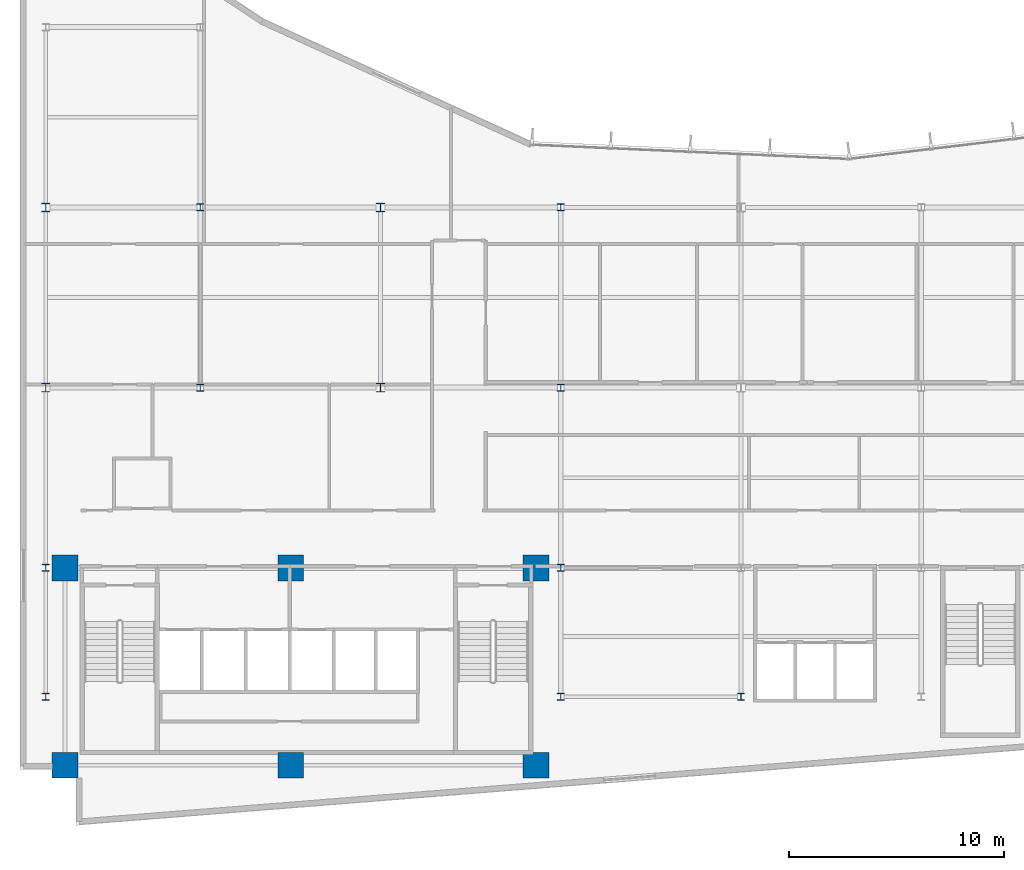
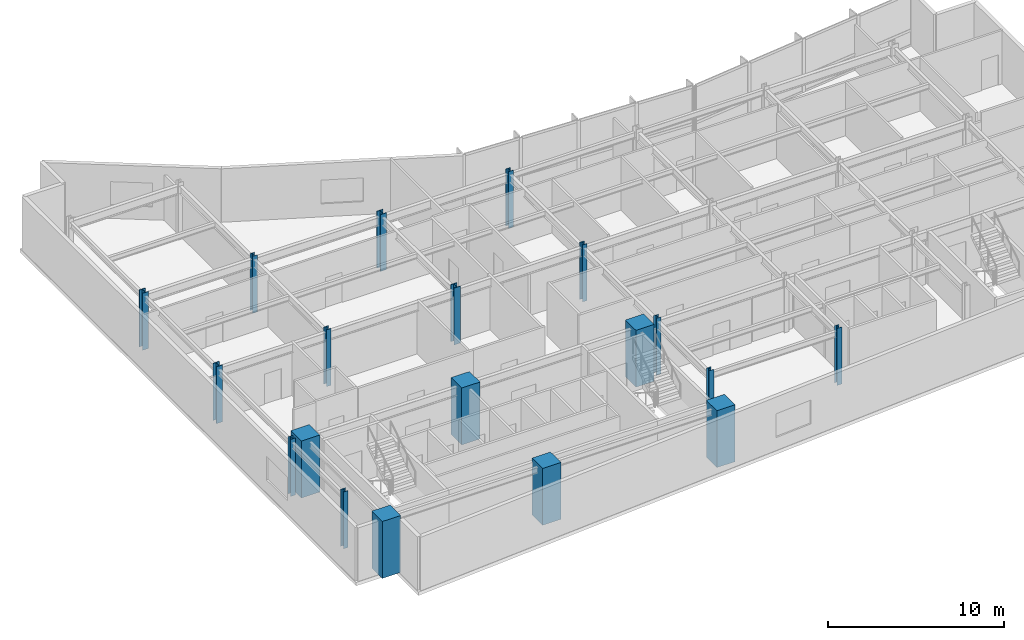
# One storey, part 1 of 17: 19 columns.
"""IFC4 building model written with IfcOpenShell, lengths in metres."""

from ifc_helpers import new_model, si_unit, direction, frame, origin, origin_2d, place, context, subcontext, project, spatial, rectangle, i_section, extrude, material, material_profile, profile_set, type_object, element, save


model = new_model("IFC4")

# Units and contexts
model_context = context("Model", 3, precision=1e-05, world=origin(), true_north=direction((0.0, 1.0)))
body_context = subcontext(model_context, "Body", "Model", "MODEL_VIEW")
ifc_project = project(units=[si_unit("LENGTHUNIT", "METRE"), si_unit("AREAUNIT", "SQUARE_METRE"), si_unit("VOLUMEUNIT", "CUBIC_METRE"), si_unit("PLANEANGLEUNIT", "RADIAN"), si_unit("MASSUNIT", "GRAM", prefix="KILO")], contexts=[model_context])

# Site, building, storey
site_placement = place(None, origin())
site = spatial("IfcSite", under=ifc_project, at=site_placement, CompositionType="ELEMENT")
building_placement = place(site_placement, origin())
building = spatial("IfcBuilding", under=site, at=building_placement, Name="Varnakote Quay Hospital", CompositionType="ELEMENT")
storey_placement = place(building_placement, frame((0.0, 0.0, 131.0)))
storey = spatial("IfcBuildingStorey", under=building, at=storey_placement, Name="L32", CompositionType="ELEMENT", Elevation=131.0)

# Columns
ifc_material_1 = material(Name="Concrete N80 (f'c 80 MPa)", Category="concrete")
ifc_material_profile_1 = material_profile(ifc_material_1, rectangle(XDim=1.199951171875, YDim=1.199951171875, at=origin_2d()), Name="RC-COL-1200x1200")
ifc_profile_set_1 = profile_set([ifc_material_profile_1], Name="Concrete N80 (f'c 80 MPa)")
column_type_1 = type_object("IfcColumnType", Name="COL-RC-1200", PredefinedType="COLUMN", material=ifc_profile_set_1)
for number, where, z_axis, x_axis, name in (
    (1, (2.10009765625, 2.800048828125, 0.0), (0.0, 0.0, 1.0), (1.0, 0.0, 0.0), "L32 Structural Column C-2-3"),
    (2, (12.6201171875, 2.800048828125, 0.0), (0.0, 0.0, 1.0), (1.0, 0.0, 0.0), "L32 Structural Column C-13-3"),
    (3, (24.050048828125, 2.800048828125, 0.0), (0.0, 0.0, 1.0), (1.0, 0.0, 0.0), "L32 Structural Column C-24-3"),
    (4, (2.10009765625, 12.0, 0.0), (0.0, 0.0, 1.0), (1.0, 0.0, 0.0), "L32 Structural Column C-2-12"),
    (5, (12.6201171875, 12.0, 0.0), (0.0, 0.0, 1.0), (1.0, 0.0, 0.0), "L32 Structural Column C-13-12"),
    (6, (24.050048828125, 12.0, 0.0), (0.0, 0.0, 1.0), (1.0, 0.0, 0.0), "L32 Structural Column C-24-12"),
):
    element("IfcColumn", number, at=place(storey_placement, frame(where, z_axis=z_axis, x_axis=x_axis)), inside=storey, type_object=column_type_1, Name=name, PredefinedType="COLUMN", context=body_context, shape_type="SweptSolid", body=[
        extrude(rectangle(XDim=1.199951171875, YDim=1.199951171875, at=origin_2d()), origin(), (0.0, 0.0, 1.0), 3.949951171875),
    ])
ifc_material_2 = material(Name="Structural steel AS/NZS 3679.1 Grade 350 L0 (fy 340 MPa)", Category="steel")
ifc_material_profile_2 = material_profile(ifc_material_2, i_section(OverallWidth=0.30908203125, OverallDepth=0.321044921875, WebThickness=0.013916015625, FlangeThickness=0.021728515625, FilletRadius=0.0166015625, at=origin_2d()), Name="310UC137")
ifc_profile_set_2 = profile_set([ifc_material_profile_2], Name="Structural steel AS/NZS 3679.1 Grade 350 L0 (fy 340 MPa)")
column_type_2 = type_object("IfcColumnType", Name="COL-STL-310UC137", PredefinedType="COLUMN", material=ifc_profile_set_2)
for number, where, z_axis, x_axis, name in (
    (7, (1.199951171875, 6.0, 0.0), (0.0, 0.0, 1.0), (1.0, 0.0, 0.0), "L32 Structural Column C-1-6"),
    (8, (25.199951171875, 6.0, 0.0), (0.0, 0.0, 1.0), (1.0, 0.0, 0.0), "L32 Structural Column C-25-6"),
    (9, (33.60009765625, 6.0, 0.0), (0.0, 0.0, 1.0), (1.0, 0.0, 0.0), "L32 Structural Column C-34-6"),
    (10, (1.199951171875, 12.0, 0.0), (0.0, 0.0, 1.0), (1.0, 0.0, 0.0), "L32 Structural Column C-1-12"),
    (11, (25.199951171875, 12.0, 0.0), (0.0, 0.0, 1.0), (1.0, 0.0, 0.0), "L32 Structural Column C-25-12"),
    (12, (8.39990234375, 20.39990234375, 0.0), (0.0, 0.0, 1.0), (1.0, 0.0, 0.0), "L32 Structural Column C-8-20"),
    (13, (25.199951171875, 20.39990234375, 0.0), (0.0, 0.0, 1.0), (1.0, 0.0, 0.0), "L32 Structural Column C-25-20"),
    (14, (8.39990234375, 28.800048828125, 0.0), (0.0, 0.0, 1.0), (1.0, 0.0, 0.0), "L32 Structural Column C-8-29"),
    (15, (25.199951171875, 28.800048828125, 0.0), (0.0, 0.0, 1.0), (1.0, 0.0, 0.0), "L32 Structural Column C-25-29"),
):
    element("IfcColumn", number, at=place(storey_placement, frame(where, z_axis=z_axis, x_axis=x_axis)), inside=storey, type_object=column_type_2, Name=name, PredefinedType="COLUMN", context=body_context, shape_type="SweptSolid", body=[
        extrude(i_section(OverallWidth=0.30908203125, OverallDepth=0.321044921875, WebThickness=0.013916015625, FlangeThickness=0.021728515625, FilletRadius=0.0166015625, at=origin_2d()), origin(), (0.0, 0.0, 1.0), 3.949951171875),
    ])
ifc_material_3 = material(Name="Structural steel AS/NZS 3678 Grade 350 (fy 340 MPa)", Category="steel")
ifc_material_profile_3 = material_profile(ifc_material_3, i_section(OverallWidth=0.39990234375, OverallDepth=0.419921875, WebThickness=0.02490234375, FlangeThickness=0.0400390625, at=origin_2d()), Name="400WC328")
ifc_profile_set_3 = profile_set([ifc_material_profile_3], Name="Structural steel AS/NZS 3678 Grade 350 (fy 340 MPa)")
column_type_3 = type_object("IfcColumnType", Name="COL-STL-400WC328", PredefinedType="COLUMN", material=ifc_profile_set_3)
for number, where, z_axis, x_axis, name in (
    (16, (1.199951171875, 20.39990234375, 0.0), (0.0, 0.0, 1.0), (1.0, 0.0, 0.0), "L32 Structural Column C-1-20"),
    (17, (16.800048828125, 20.39990234375, 0.0), (0.0, 0.0, 1.0), (1.0, 0.0, 0.0), "L32 Structural Column C-17-20"),
    (18, (1.199951171875, 28.800048828125, 0.0), (0.0, 0.0, 1.0), (1.0, 0.0, 0.0), "L32 Structural Column C-1-29"),
    (19, (16.800048828125, 28.800048828125, 0.0), (0.0, 0.0, 1.0), (1.0, 0.0, 0.0), "L32 Structural Column C-17-29"),
):
    element("IfcColumn", number, at=place(storey_placement, frame(where, z_axis=z_axis, x_axis=x_axis)), inside=storey, type_object=column_type_3, Name=name, PredefinedType="COLUMN", context=body_context, shape_type="SweptSolid", body=[
        extrude(i_section(OverallWidth=0.39990234375, OverallDepth=0.419921875, WebThickness=0.02490234375, FlangeThickness=0.0400390625, at=origin_2d()), origin(), (0.0, 0.0, 1.0), 3.949951171875),
    ])

save(model, "model.ifc")
